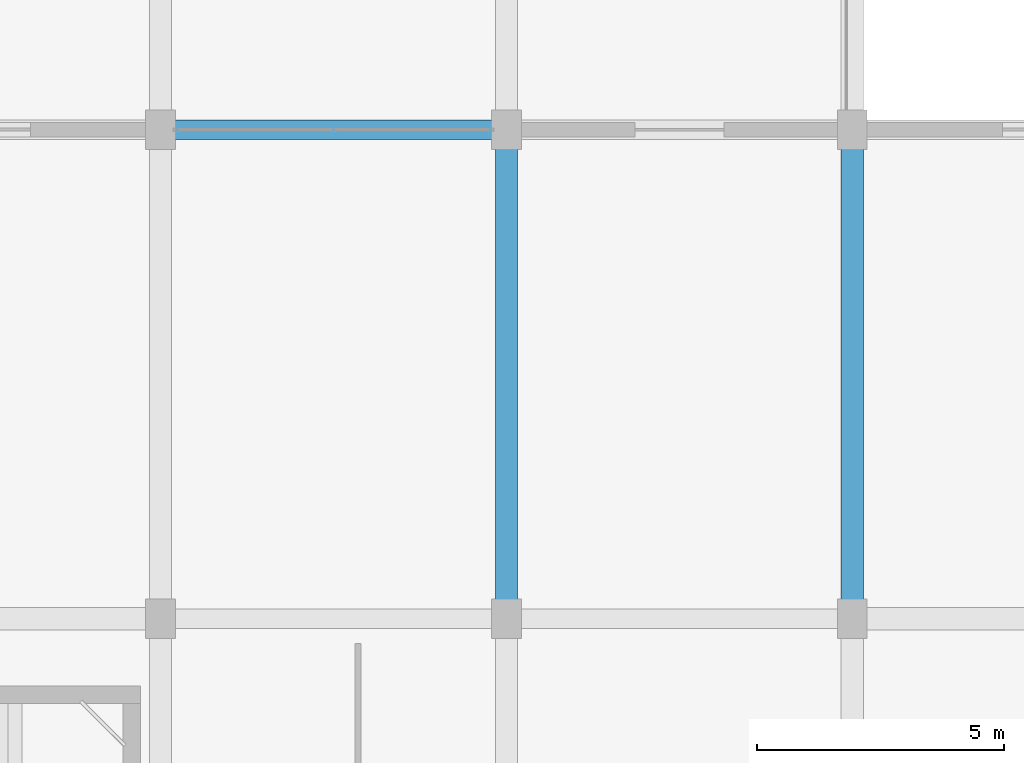
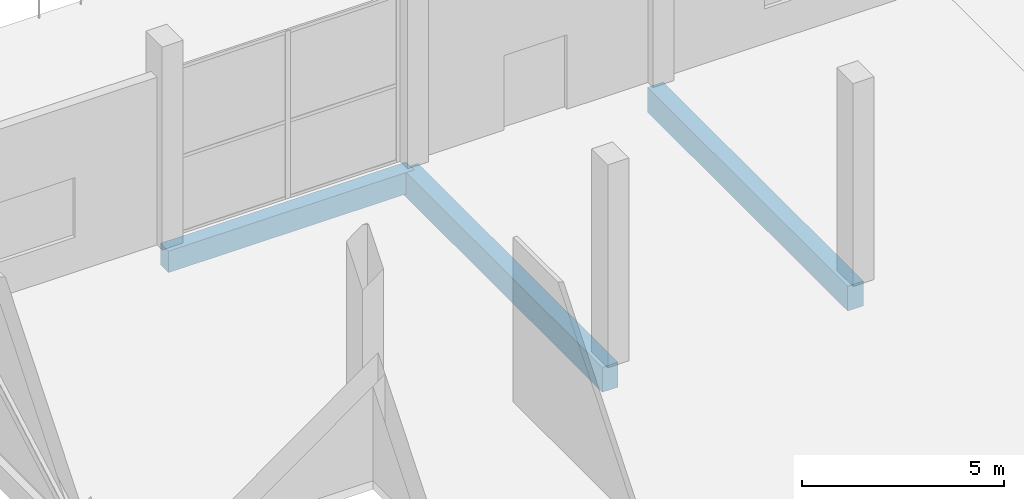
# One storey, part 28 of 58: 3 beams.
"""IFC4 building model written with IfcOpenShell, lengths in metres."""

from ifc_helpers import new_model, si_unit, direction, frame, origin, origin_2d, place, context, subcontext, project, spatial, rectangle, extrude, material, material_profile, profile_set, type_object, element, save


model = new_model("IFC4")

# Units and contexts
model_context = context("Model", 3, precision=1e-05, world=origin(), true_north=direction((0.0, 1.0)))
body_context = subcontext(model_context, "Body", "Model", "MODEL_VIEW")
ifc_project = project(units=[si_unit("LENGTHUNIT", "METRE"), si_unit("AREAUNIT", "SQUARE_METRE"), si_unit("VOLUMEUNIT", "CUBIC_METRE"), si_unit("PLANEANGLEUNIT", "RADIAN"), si_unit("MASSUNIT", "GRAM", prefix="KILO")], contexts=[model_context])

# Site, building, storey
site_placement = place(None, origin())
site = spatial("IfcSite", under=ifc_project, at=site_placement, CompositionType="ELEMENT")
building_placement = place(site_placement, origin())
building = spatial("IfcBuilding", under=site, at=building_placement, Name="Sillaruma Civic Art Gallery", CompositionType="ELEMENT")
storey_placement = place(building_placement, frame((0.0, 0.0, 22.43994140625)))
storey = spatial("IfcBuildingStorey", under=building, at=storey_placement, Name="L04", CompositionType="ELEMENT", Elevation=22.43994140625)

# Beams
ifc_material_1 = material(Name="Concrete H40 (40 MPa)", Category="concrete")
ifc_material_profile_1 = material_profile(ifc_material_1, rectangle(XDim=0.449951171875, YDim=0.75, at=origin_2d()), Name="RCB450x750")
ifc_profile_set_1 = profile_set([ifc_material_profile_1], Name="Concrete H40 (40 MPa)")
beam_type_1 = type_object("IfcBeamType", Name="BM-BEAM-RCB450x750", PredefinedType="BEAM", material=ifc_profile_set_1)
for number, where, z_axis, x_axis, name in (
    (1, (77.0, 89.10009765625, -0.635009765625), (0.0, 1.0, 0.0), (-1.0, 0.0, 0.0), "Beam BM-03 (L03:H:10-11)"),
    (2, (84.0, 89.10009765625, -0.635009765625), (0.0, 1.0, 0.0), (-1.0, 0.0, 0.0), "Beam BM-03 (L03:J:10-11)"),
):
    element("IfcBeam", number, at=place(storey_placement, frame(where, z_axis=z_axis, x_axis=x_axis)), inside=storey, type_object=beam_type_1, Name=name, PredefinedType="BEAM", context=body_context, shape_type="SweptSolid", body=[
        extrude(rectangle(XDim=0.449951171875, YDim=0.75, at=origin_2d()), origin(), (0.0, 0.0, 1.0), 9.89990234375),
    ])
ifc_material_2 = material(Name="Concrete H35 (35 MPa)", Category="concrete")
ifc_material_profile_2 = material_profile(ifc_material_2, rectangle(XDim=0.39990234375, YDim=0.64990234375, at=origin_2d()), Name="RCB400x650")
ifc_profile_set_2 = profile_set([ifc_material_profile_2], Name="Concrete H35 (35 MPa)")
beam_type_2 = type_object("IfcBeamType", Name="BM-SPANDREL-RCB400x650", PredefinedType="SPANDREL", material=ifc_profile_set_2)
beam_placement = place(storey_placement, frame((70.0, 99.0, -0.5849609375), z_axis=(1.0, 0.0, 0.0), x_axis=(0.0, 1.0, 0.0)))
element("IfcBeam", 3, at=beam_placement, inside=storey, type_object=beam_type_2, Name="Beam BS-02 (L03:11:G-H)", PredefinedType="SPANDREL", context=body_context, shape_type="SweptSolid", body=[
    extrude(rectangle(XDim=0.39990234375, YDim=0.64990234375, at=origin_2d()), origin(), (0.0, 0.0, 1.0), 7.0),
])

save(model, "model.ifc")
